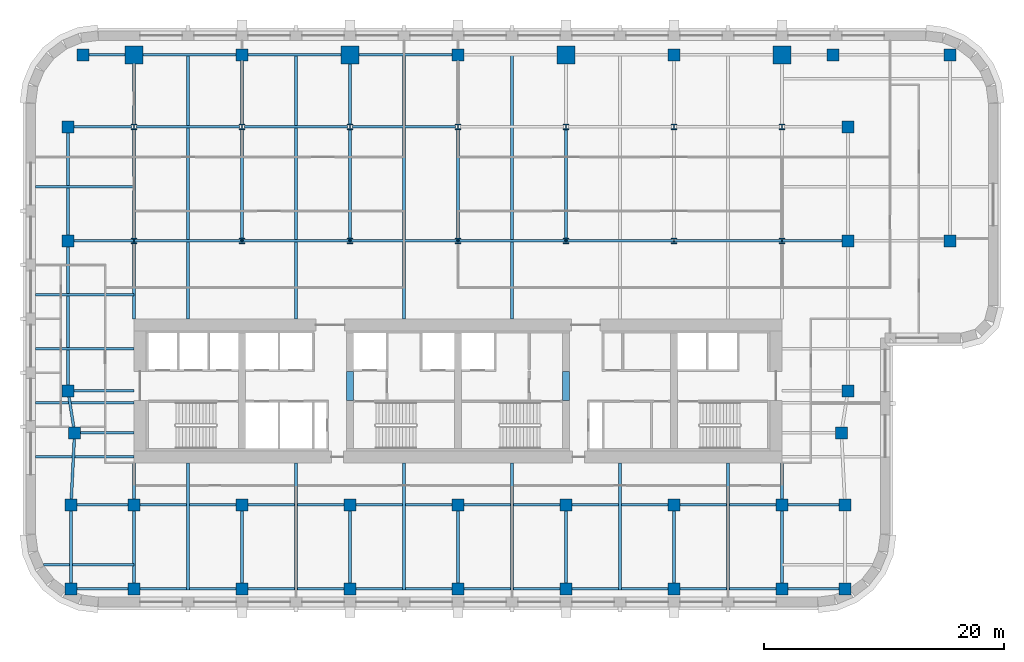
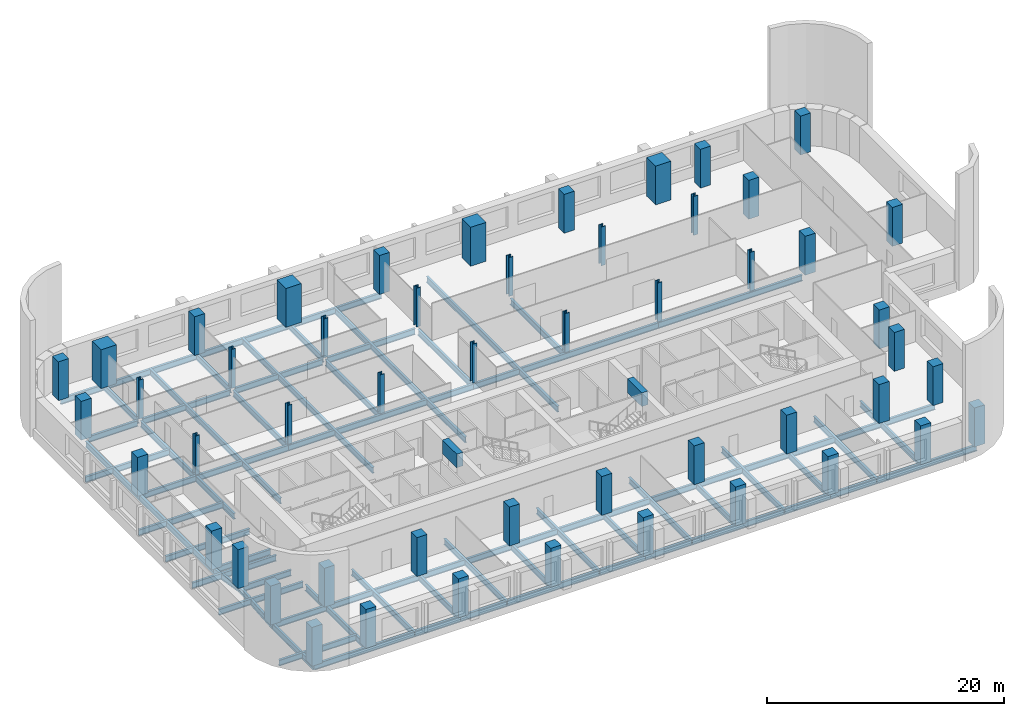
# One storey, part 1 of 10: 58 beams, 51 columns.
"""IFC4 building model written with IfcOpenShell, lengths in metres."""

import ifcopenshell
import ifcopenshell.guid

model = None  # the IFC model being written
_history = None  # IfcOwnerHistory: only IFC2X3 demands one
_inside = {}  # id of a spatial element -> (the spatial element, [elements in it])
_under = {}  # id of a project, library or spatial element -> (it, [spatial elements below it])
_declared = {}  # id of a project -> (the project, [libraries it declares])
_typed = {}  # id of a type object -> (the type object, [elements of that type])
_made_of = {}  # id of a material, layer set ... -> (it, [elements and type objects made of it])


def new_model(schema):
    """Start an empty IFC model of exactly this schema.

    Asked for "IFC4X3", IfcOpenShell would pick the latest addendum, in which some entities
    have other attributes; the version numbers below select the first issue.
    IFC2X3 requires an IfcOwnerHistory on every rooted entity: one is made here for all.
    """
    global model, _history
    if schema == "IFC4X3":
        model = ifcopenshell.file(schema_version=(4, 3, 0, 0))
    else:
        model = ifcopenshell.file(schema=schema)
    _inside.clear()
    _under.clear()
    _declared.clear()
    _typed.clear()
    _made_of.clear()
    _history = None
    if model.schema == "IFC2X3":
        org = make("IfcOrganization", Name="unknown")
        user = make(
            "IfcPersonAndOrganization",
            ThePerson=make("IfcPerson", FamilyName="unknown"),
            TheOrganization=org,
        )
        app = make(
            "IfcApplication",
            ApplicationDeveloper=org,
            Version="unknown",
            ApplicationFullName="unknown",
            ApplicationIdentifier="unknown",
        )
        _history = make(
            "IfcOwnerHistory",
            OwningUser=user,
            OwningApplication=app,
            ChangeAction="ADDED",
            CreationDate=0,
        )
    return model


def make(cls, **values):
    """One entity of the class cls with the attributes given. An attribute that is None is left unset."""
    return model.create_entity(
        cls, **{name: value for name, value in values.items() if value is not None}
    )


def rooted(cls, **values):
    """An entity with a GlobalId (a new one), such as an element, a storey or a relation."""
    return make(cls, GlobalId=ifcopenshell.guid.new(), OwnerHistory=_history, **values)


def si_unit(unit_type, name, prefix=None):
    """IfcSIUnit, for example si_unit("LENGTHUNIT", "METRE", prefix="MILLI")."""
    return make("IfcSIUnit", UnitType=unit_type, Prefix=prefix, Name=name)


def assignment(units):
    """IfcUnitAssignment: the units of a project."""
    return None if units is None else make("IfcUnitAssignment", Units=units)


def point(xyz):
    """IfcCartesianPoint."""
    return None if xyz is None else make("IfcCartesianPoint", Coordinates=xyz)


def direction(xyz):
    """IfcDirection."""
    return None if xyz is None else make("IfcDirection", DirectionRatios=xyz)


def frame(location, z_axis=None, x_axis=None):
    """IfcAxis2Placement3D, a coordinate frame: its origin and axes. An axis left out is left unset."""
    return make(
        "IfcAxis2Placement3D",
        Location=point(location),
        Axis=direction(z_axis),
        RefDirection=direction(x_axis),
    )


def frame_2d(location, x_axis=None):
    """IfcAxis2Placement2D, a coordinate frame in the plane: its origin and x axis."""
    return make(
        "IfcAxis2Placement2D", Location=point(location), RefDirection=direction(x_axis)
    )


def origin():
    """The frame at (0, 0, 0) with its axes left unset."""
    return frame((0.0, 0.0, 0.0))


def origin_2d():
    """The frame at (0, 0) in the plane with its x axis left unset."""
    return frame_2d((0.0, 0.0))


def place(relative_to, where):
    """IfcLocalPlacement: puts the frame where relative to a parent placement (None: the world)."""
    return make(
        "IfcLocalPlacement", PlacementRelTo=relative_to, RelativePlacement=where
    )


def context(
    kind, dimensions, precision=None, world=None, true_north=None, identifier=None
):
    """IfcGeometricRepresentationContext, for example the 3D "Model" context."""
    return make(
        "IfcGeometricRepresentationContext",
        ContextIdentifier=identifier,
        ContextType=kind,
        CoordinateSpaceDimension=dimensions,
        Precision=precision,
        WorldCoordinateSystem=world,
        TrueNorth=true_north,
    )


def subcontext(parent, identifier, kind, view, scale=None):
    """IfcGeometricRepresentationSubContext, for example "Body" below "Model"."""
    return make(
        "IfcGeometricRepresentationSubContext",
        ContextIdentifier=identifier,
        ContextType=kind,
        ParentContext=parent,
        TargetScale=scale,
        TargetView=view,
    )


def project(units=None, contexts=None):
    """IfcProject with its units and contexts."""
    return rooted(
        "IfcProject",
        Name="project",
        RepresentationContexts=contexts,
        UnitsInContext=assignment(units),
    )


def spatial(cls, under=None, at=None, **own):
    """A site, building, storey or space (cls), placed at a placement, below another one or the project."""
    s = rooted(cls, ObjectPlacement=at, **own)
    if under is not None:
        _under.setdefault(under.id(), (under, []))[1].append(s)
    return s


def profile(cls, at=None, kind="AREA", **sizes):
    """A parametric profile (cls). Its sizes go by their IFC names, for example OverallWidth=200.0."""
    return make(cls, ProfileType=kind, Position=at, **sizes)


def rectangle(**sizes):
    """IfcRectangleProfileDef."""
    return profile("IfcRectangleProfileDef", **sizes)


def i_section(**sizes):
    """IfcIShapeProfileDef."""
    return profile("IfcIShapeProfileDef", **sizes)


def extrude(swept, where, along, depth):
    """IfcExtrudedAreaSolid: the profile swept, set in the frame where, extruded along a direction by depth."""
    return make(
        "IfcExtrudedAreaSolid",
        SweptArea=swept,
        Position=where,
        ExtrudedDirection=direction(along),
        Depth=depth,
    )


def shape(context_of_items, identifier, shape_type, items):
    """IfcShapeRepresentation: the items that make up one representation, for example the "Body"."""
    return make(
        "IfcShapeRepresentation",
        ContextOfItems=context_of_items,
        RepresentationIdentifier=identifier,
        RepresentationType=shape_type,
        Items=items,
    )


def material(Name=None, Category=None):
    """IfcMaterial."""
    return make("IfcMaterial", Name=Name, Category=Category)


def material_profile(
    of_material, cross_section, Name=None, Category=None, Priority=None
):
    """IfcMaterialProfile: a cross section and its material."""
    return make(
        "IfcMaterialProfile",
        Name=Name,
        Material=of_material,
        Profile=cross_section,
        Priority=Priority,
        Category=Category,
    )


def profile_set(profiles, Name=None, composite=None):
    """IfcMaterialProfileSet."""
    return make(
        "IfcMaterialProfileSet",
        Name=Name,
        MaterialProfiles=profiles,
        CompositeProfile=composite,
    )


def made_of(thing, what):
    """Note that an element or type object is made of a material, layer set ...; save() writes the relation."""
    if what is not None:
        _made_of.setdefault(what.id(), (what, []))[1].append(thing)
    return thing


def type_object(cls, material=None, **own):
    """A type object (cls), such as IfcWallType, which elements share."""
    return made_of(rooted(cls, **own), material)


def element(
    cls,
    number,
    at=None,
    inside=None,
    cuts=None,
    type_object=None,
    material=None,
    context=None,
    identifier="Body",
    shape_type=None,
    held_by="IfcProductDefinitionShape",
    body=None,
    shapes=None,
    **own,
):
    """One element of the class cls, such as IfcWall. Its Tag is "e" and its number.

    at: its placement. inside: the storey or other place that contains it. cuts: it is an
    opening in that element (IfcRelVoidsElement). A single representation is given by context,
    identifier, shape_type and body (its items); several are given by shapes. held_by: the class
    of the entity that holds the representations. save() writes the other relations.
    """
    e = rooted(cls, Tag="e%d" % number, ObjectPlacement=at, **own)
    if body is not None:
        shapes = [shape(context, identifier, shape_type, body)]
    if shapes is not None:
        e.Representation = make(held_by, Representations=shapes)
    if inside is not None:
        _inside.setdefault(inside.id(), (inside, []))[1].append(e)
    if cuts is not None:
        rooted(
            "IfcRelVoidsElement", RelatingBuildingElement=cuts, RelatedOpeningElement=e
        )
    if type_object is not None:
        _typed.setdefault(type_object.id(), (type_object, []))[1].append(e)
    return made_of(e, material)


def aggregate(whole, parts):
    """IfcRelAggregates: a whole, such as a stair, and the parts it consists of."""
    return rooted("IfcRelAggregates", RelatingObject=whole, RelatedObjects=parts)


def save(model, path):
    """Write the relations noted so far, then the file.

    IfcRelAggregates (storeys below a building ...), IfcRelContainedInSpatialStructure (elements
    in a storey), IfcRelDefinesByType, IfcRelAssociatesMaterial and IfcRelDeclares: one each for
    every whole, place, type object, material and project.
    """
    for whole, parts in _under.values():
        aggregate(whole, parts)
    for where, things in _inside.values():
        rooted(
            "IfcRelContainedInSpatialStructure",
            RelatedElements=things,
            RelatingStructure=where,
        )
    for kind, things in _typed.values():
        rooted("IfcRelDefinesByType", RelatedObjects=things, RelatingType=kind)
    for what, things in _made_of.values():
        rooted("IfcRelAssociatesMaterial", RelatedObjects=things, RelatingMaterial=what)
    for by, libraries in _declared.values():
        rooted("IfcRelDeclares", RelatingContext=by, RelatedDefinitions=libraries)
    model.write(path)


model = new_model("IFC4")

# Units and contexts
model_context = context("Model", 3, precision=1e-05, world=origin(), true_north=direction((0.0, 1.0)))
body_context = subcontext(model_context, "Body", "Model", "MODEL_VIEW")
ifc_project = project(units=[si_unit("LENGTHUNIT", "METRE"), si_unit("AREAUNIT", "SQUARE_METRE"), si_unit("VOLUMEUNIT", "CUBIC_METRE"), si_unit("PLANEANGLEUNIT", "RADIAN"), si_unit("MASSUNIT", "GRAM", prefix="KILO")], contexts=[model_context])

# Site, building, storey
site_placement = place(None, origin())
site = spatial("IfcSite", under=ifc_project, at=site_placement, CompositionType="ELEMENT")
building_placement = place(site_placement, origin())
building = spatial("IfcBuilding", under=site, at=building_placement, Name="Zellij Exchange Tower", CompositionType="ELEMENT")
storey_placement = place(building_placement, frame((0.0, 0.0, 120.5)))
storey = spatial("IfcBuildingStorey", under=building, at=storey_placement, Name="L26", CompositionType="ELEMENT", Elevation=120.5)

# Columns
ifc_material_1 = material(Name="Concrete C70/85", Category="concrete")
ifc_material_profile_1 = material_profile(ifc_material_1, rectangle(XDim=1.0, YDim=1.0, at=origin_2d()), Name="STR-COLUMN RC1000x1000 C70/85")
ifc_profile_set_1 = profile_set([ifc_material_profile_1], Name="Concrete C70/85")
column_type_1 = type_object("IfcColumnType", Name="STR-COLUMN RC1000x1000 C70/85", PredefinedType="COLUMN", material=ifc_profile_set_1)
for number, where, z_axis, x_axis, name in (
    (1, (-32.25, -24.5, 0.0), (0.0, 0.0, 1.0), (1.0, 0.0, 0.0), "C10"),
    (2, (-27.0, -24.5, 0.0), (0.0, 0.0, 1.0), (1.0, 0.0, 0.0), "C10"),
    (3, (-18.0, -24.5, 0.0), (0.0, 0.0, 1.0), (1.0, 0.0, 0.0), "C10"),
    (4, (-9.0, -24.5, 0.0), (0.0, 0.0, 1.0), (1.0, 0.0, 0.0), "C10"),
    (5, (0.0, -24.5, 0.0), (0.0, 0.0, 1.0), (1.0, 0.0, 0.0), "C10"),
    (6, (9.0, -24.5, 0.0), (0.0, 0.0, 1.0), (1.0, 0.0, 0.0), "C10"),
    (7, (18.0, -24.5, 0.0), (0.0, 0.0, 1.0), (1.0, 0.0, 0.0), "C10"),
    (8, (27.0, -24.5, 0.0), (0.0, 0.0, 1.0), (1.0, 0.0, 0.0), "C10"),
    (9, (32.25, -24.5, 0.0), (0.0, 0.0, 1.0), (1.0, 0.0, 0.0), "C10"),
    (10, (-32.25, -17.5, 0.0), (0.0, 0.0, 1.0), (1.0, 0.0, 0.0), "C10"),
    (11, (-27.0, -17.5, 0.0), (0.0, 0.0, 1.0), (1.0, 0.0, 0.0), "C10"),
    (12, (-18.0, -17.5, 0.0), (0.0, 0.0, 1.0), (1.0, 0.0, 0.0), "C10"),
    (13, (-9.0, -17.5, 0.0), (0.0, 0.0, 1.0), (1.0, 0.0, 0.0), "C10"),
    (14, (0.0, -17.5, 0.0), (0.0, 0.0, 1.0), (1.0, 0.0, 0.0), "C10"),
    (15, (9.0, -17.5, 0.0), (0.0, 0.0, 1.0), (1.0, 0.0, 0.0), "C10"),
    (16, (18.0, -17.5, 0.0), (0.0, 0.0, 1.0), (1.0, 0.0, 0.0), "C10"),
    (17, (27.0, -17.5, 0.0), (0.0, 0.0, 1.0), (1.0, 0.0, 0.0), "C10"),
    (18, (32.25, -17.5, 0.0), (0.0, 0.0, 1.0), (1.0, 0.0, 0.0), "C10"),
    (19, (-31.949951171875, -11.5, 0.0), (0.0, 0.0, 1.0), (1.0, 0.0, 0.0), "C10"),
    (20, (31.949951171875, -11.5, 0.0), (0.0, 0.0, 1.0), (1.0, 0.0, 0.0), "C10"),
    (21, (-32.5, -8.0, 0.0), (0.0, 0.0, 1.0), (1.0, 0.0, 0.0), "C10"),
    (22, (32.5, -8.0, 0.0), (0.0, 0.0, 1.0), (1.0, 0.0, 0.0), "C10"),
    (23, (-32.5, 4.5, 0.0), (0.0, 0.0, 1.0), (1.0, 0.0, 0.0), "C10"),
    (24, (32.5, 4.5, 0.0), (0.0, 0.0, 1.0), (1.0, 0.0, 0.0), "C10"),
    (25, (41.0, 4.5, 0.0), (0.0, 0.0, 1.0), (1.0, 0.0, 0.0), "C10"),
    (26, (-32.5, 14.0, 0.0), (0.0, 0.0, 1.0), (1.0, 0.0, 0.0), "C10"),
    (27, (32.5, 14.0, 0.0), (0.0, 0.0, 1.0), (1.0, 0.0, 0.0), "C10"),
    (28, (-31.25, 20.0, 0.0), (0.0, 0.0, 1.0), (1.0, 0.0, 0.0), "C10"),
    (29, (-18.0, 20.0, 0.0), (0.0, 0.0, 1.0), (1.0, 0.0, 0.0), "C10"),
    (30, (0.0, 20.0, 0.0), (0.0, 0.0, 1.0), (1.0, 0.0, 0.0), "C10"),
    (31, (18.0, 20.0, 0.0), (0.0, 0.0, 1.0), (1.0, 0.0, 0.0), "C10"),
    (32, (31.25, 20.0, 0.0), (0.0, 0.0, 1.0), (1.0, 0.0, 0.0), "C10"),
    (33, (41.0, 20.0, 0.0), (0.0, 0.0, 1.0), (1.0, 0.0, 0.0), "C10"),
):
    element("IfcColumn", number, at=place(storey_placement, frame(where, z_axis=z_axis, x_axis=x_axis)), inside=storey, type_object=column_type_1, Name=name, PredefinedType="COLUMN", context=body_context, shape_type="SweptSolid", body=[
        extrude(rectangle(XDim=1.0, YDim=1.0, at=origin_2d()), origin(), (0.0, 0.0, 1.0), 4.0),
    ])
ifc_material_2 = material(Name="Structural steel ASTM A913 Gr 65", Category="steel")
ifc_material_profile_2 = material_profile(ifc_material_2, i_section(OverallWidth=0.419189453125, OverallDepth=0.45458984375, WebThickness=0.042236328125, FlangeThickness=0.067626953125, at=origin_2d()), Name="W14x370")
ifc_profile_set_2 = profile_set([ifc_material_profile_2], Name="Structural steel ASTM A913 Gr 65")
column_type_2 = type_object("IfcColumnType", Name="STR-COLUMN W14x370", PredefinedType="COLUMN", material=ifc_profile_set_2)
for number, where, z_axis, x_axis, name in (
    (34, (-27.0, 4.5, 0.0), (0.0, 0.0, 1.0), (1.0, 0.0, 0.0), "C4"),
    (35, (-18.0, 4.5, 0.0), (0.0, 0.0, 1.0), (1.0, 0.0, 0.0), "C4"),
    (36, (-9.0, 4.5, 0.0), (0.0, 0.0, 1.0), (1.0, 0.0, 0.0), "C4"),
    (37, (0.0, 4.5, 0.0), (0.0, 0.0, 1.0), (1.0, 0.0, 0.0), "C4"),
    (38, (9.0, 4.5, 0.0), (0.0, 0.0, 1.0), (1.0, 0.0, 0.0), "C4"),
    (39, (18.0, 4.5, 0.0), (0.0, 0.0, 1.0), (1.0, 0.0, 0.0), "C4"),
    (40, (27.0, 4.5, 0.0), (0.0, 0.0, 1.0), (1.0, 0.0, 0.0), "C4"),
    (41, (-27.0, 14.0, 0.0), (0.0, 0.0, 1.0), (1.0, 0.0, 0.0), "C4"),
    (42, (-18.0, 14.0, 0.0), (0.0, 0.0, 1.0), (1.0, 0.0, 0.0), "C4"),
    (43, (-9.0, 14.0, 0.0), (0.0, 0.0, 1.0), (1.0, 0.0, 0.0), "C4"),
    (44, (0.0, 14.0, 0.0), (0.0, 0.0, 1.0), (1.0, 0.0, 0.0), "C4"),
    (45, (9.0, 14.0, 0.0), (0.0, 0.0, 1.0), (1.0, 0.0, 0.0), "C4"),
    (46, (18.0, 14.0, 0.0), (0.0, 0.0, 1.0), (1.0, 0.0, 0.0), "C4"),
    (47, (27.0, 14.0, 0.0), (0.0, 0.0, 1.0), (1.0, 0.0, 0.0), "C4"),
):
    element("IfcColumn", number, at=place(storey_placement, frame(where, z_axis=z_axis, x_axis=x_axis)), inside=storey, type_object=column_type_2, Name=name, PredefinedType="COLUMN", context=body_context, shape_type="SweptSolid", body=[
        extrude(i_section(OverallWidth=0.419189453125, OverallDepth=0.45458984375, WebThickness=0.042236328125, FlangeThickness=0.067626953125, at=origin_2d()), origin(), (0.0, 0.0, 1.0), 4.0),
    ])
ifc_material_profile_3 = material_profile(ifc_material_1, rectangle(XDim=1.5, YDim=1.5, at=origin_2d()), Name="STR-MEGA COLUMN RC1500x1500 C70/85")
ifc_profile_set_3 = profile_set([ifc_material_profile_3], Name="Concrete C70/85")
column_type_3 = type_object("IfcColumnType", Name="STR-MEGA COLUMN RC1500x1500 C70/85", PredefinedType="COLUMN", material=ifc_profile_set_3)
for number, where, z_axis, x_axis, name in (
    (48, (-27.0, 20.0, 0.0), (0.0, 0.0, 1.0), (1.0, 0.0, 0.0), "MC5"),
    (49, (-9.0, 20.0, 0.0), (0.0, 0.0, 1.0), (1.0, 0.0, 0.0), "MC5"),
    (50, (9.0, 20.0, 0.0), (0.0, 0.0, 1.0), (1.0, 0.0, 0.0), "MC5"),
    (51, (27.0, 20.0, 0.0), (0.0, 0.0, 1.0), (1.0, 0.0, 0.0), "MC5"),
):
    element("IfcColumn", number, at=place(storey_placement, frame(where, z_axis=z_axis, x_axis=x_axis)), inside=storey, type_object=column_type_3, Name=name, PredefinedType="COLUMN", context=body_context, shape_type="SweptSolid", body=[
        extrude(rectangle(XDim=1.5, YDim=1.5, at=origin_2d()), origin(), (0.0, 0.0, 1.0), 4.0),
    ])

# Beams
ifc_material_profile_4 = material_profile(ifc_material_1, rectangle(XDim=0.60009765625, YDim=1.39990234375, at=origin_2d()), Name="CORE-CB 600x1400 C70/85")
ifc_profile_set_4 = profile_set([ifc_material_profile_4], Name="Concrete C70/85")
beam_type_1 = type_object("IfcBeamType", Name="CORE-CB 600x1400 C70/85", PredefinedType="BEAM", material=ifc_profile_set_4)
for number, where, z_axis, x_axis, name in (
    (52, (-9.0, -8.800048828125, 3.10009765625), (0.0, 1.0, 0.0), (-1.0, 0.0, 0.0), "Core coupling beam x -9 L26"),
    (53, (9.0, -8.800048828125, 3.10009765625), (0.0, 1.0, 0.0), (-1.0, 0.0, 0.0), "Core coupling beam x 9 L26"),
):
    element("IfcBeam", number, at=place(storey_placement, frame(where, z_axis=z_axis, x_axis=x_axis)), inside=storey, type_object=beam_type_1, Name=name, PredefinedType="BEAM", context=body_context, shape_type="SweptSolid", body=[
        extrude(rectangle(XDim=0.60009765625, YDim=1.39990234375, at=origin_2d()), origin(), (0.0, 0.0, 1.0), 2.425048828125),
    ])
ifc_material_3 = material(Name="Structural steel ASTM A992 Gr 50", Category="steel")
ifc_material_profile_5 = material_profile(ifc_material_3, i_section(OverallWidth=0.227783203125, OverallDepth=0.60205078125, WebThickness=0.010498046875, FlangeThickness=0.014892578125, at=origin_2d()), Name="W24x68")
ifc_profile_set_5 = profile_set([ifc_material_profile_5], Name="Structural steel ASTM A992 Gr 50")
beam_type_2 = type_object("IfcBeamType", Name="STR-BEAM W24x68", PredefinedType="BEAM", material=ifc_profile_set_5)
beam_1_placement = place(storey_placement, frame((-22.5, -24.614501953125, -0.5009765625), z_axis=(0.0, 1.0, 0.0), x_axis=(-1.0, 0.0, 0.0)))
element("IfcBeam", 54, at=beam_1_placement, inside=storey, type_object=beam_type_2, Name="B5", PredefinedType="BEAM", context=body_context, shape_type="SweptSolid", body=[
    extrude(i_section(OverallWidth=0.227783203125, OverallDepth=0.60205078125, WebThickness=0.010498046875, FlangeThickness=0.014892578125, at=origin_2d()), origin(), (0.0, 0.0, 1.0), 10.614501953125),
])
beam_2_placement = place(storey_placement, frame((-22.5, -2.0, -0.5009765625), z_axis=(0.0, 1.0, 0.0), x_axis=(-1.0, 0.0, 0.0)))
element("IfcBeam", 55, at=beam_2_placement, inside=storey, type_object=beam_type_2, Name="B5", PredefinedType="BEAM", context=body_context, shape_type="SweptSolid", body=[
    extrude(i_section(OverallWidth=0.227783203125, OverallDepth=0.60205078125, WebThickness=0.010498046875, FlangeThickness=0.014892578125, at=origin_2d()), origin(), (0.0, 0.0, 1.0), 22.114501953125),
])
beam_3_placement = place(storey_placement, frame((-13.5, -24.614501953125, -0.5009765625), z_axis=(0.0, 1.0, 0.0), x_axis=(-1.0, 0.0, 0.0)))
element("IfcBeam", 56, at=beam_3_placement, inside=storey, type_object=beam_type_2, Name="B5", PredefinedType="BEAM", context=body_context, shape_type="SweptSolid", body=[
    extrude(i_section(OverallWidth=0.227783203125, OverallDepth=0.60205078125, WebThickness=0.010498046875, FlangeThickness=0.014892578125, at=origin_2d()), origin(), (0.0, 0.0, 1.0), 10.614501953125),
])
beam_4_placement = place(storey_placement, frame((-13.5, -2.0, -0.5009765625), z_axis=(0.0, 1.0, 0.0), x_axis=(-1.0, 0.0, 0.0)))
element("IfcBeam", 57, at=beam_4_placement, inside=storey, type_object=beam_type_2, Name="B5", PredefinedType="BEAM", context=body_context, shape_type="SweptSolid", body=[
    extrude(i_section(OverallWidth=0.227783203125, OverallDepth=0.60205078125, WebThickness=0.010498046875, FlangeThickness=0.014892578125, at=origin_2d()), origin(), (0.0, 0.0, 1.0), 22.114501953125),
])
beam_5_placement = place(storey_placement, frame((-4.5, -24.614501953125, -0.5009765625), z_axis=(0.0, 1.0, 0.0), x_axis=(-1.0, 0.0, 0.0)))
element("IfcBeam", 58, at=beam_5_placement, inside=storey, type_object=beam_type_2, Name="B5", PredefinedType="BEAM", context=body_context, shape_type="SweptSolid", body=[
    extrude(i_section(OverallWidth=0.227783203125, OverallDepth=0.60205078125, WebThickness=0.010498046875, FlangeThickness=0.014892578125, at=origin_2d()), origin(), (0.0, 0.0, 1.0), 10.614501953125),
])
beam_6_placement = place(storey_placement, frame((-4.5, -2.0, -0.5009765625), z_axis=(0.0, 1.0, 0.0), x_axis=(-1.0, 0.0, 0.0)))
element("IfcBeam", 59, at=beam_6_placement, inside=storey, type_object=beam_type_2, Name="B5", PredefinedType="BEAM", context=body_context, shape_type="SweptSolid", body=[
    extrude(i_section(OverallWidth=0.227783203125, OverallDepth=0.60205078125, WebThickness=0.010498046875, FlangeThickness=0.014892578125, at=origin_2d()), origin(), (0.0, 0.0, 1.0), 22.114501953125),
])
beam_7_placement = place(storey_placement, frame((4.5, -24.614501953125, -0.5009765625), z_axis=(0.0, 1.0, 0.0), x_axis=(-1.0, 0.0, 0.0)))
element("IfcBeam", 60, at=beam_7_placement, inside=storey, type_object=beam_type_2, Name="B5", PredefinedType="BEAM", context=body_context, shape_type="SweptSolid", body=[
    extrude(i_section(OverallWidth=0.227783203125, OverallDepth=0.60205078125, WebThickness=0.010498046875, FlangeThickness=0.014892578125, at=origin_2d()), origin(), (0.0, 0.0, 1.0), 10.614501953125),
])
beam_8_placement = place(storey_placement, frame((4.5, -2.0, -0.5009765625), z_axis=(0.0, 1.0, 0.0), x_axis=(-1.0, 0.0, 0.0)))
element("IfcBeam", 61, at=beam_8_placement, inside=storey, type_object=beam_type_2, Name="B5", PredefinedType="BEAM", context=body_context, shape_type="SweptSolid", body=[
    extrude(i_section(OverallWidth=0.227783203125, OverallDepth=0.60205078125, WebThickness=0.010498046875, FlangeThickness=0.014892578125, at=origin_2d()), origin(), (0.0, 0.0, 1.0), 22.114501953125),
])
for number, where, z_axis, x_axis, name in (
    (62, (13.5, -24.614501953125, -0.5009765625), (0.0, 1.0, 0.0), (-1.0, 0.0, 0.0), "B5"),
    (63, (22.5, -24.614501953125, -0.5009765625), (0.0, 1.0, 0.0), (-1.0, 0.0, 0.0), "B5"),
):
    element("IfcBeam", number, at=place(storey_placement, frame(where, z_axis=z_axis, x_axis=x_axis)), inside=storey, type_object=beam_type_2, Name=name, PredefinedType="BEAM", context=body_context, shape_type="SweptSolid", body=[
        extrude(i_section(OverallWidth=0.227783203125, OverallDepth=0.60205078125, WebThickness=0.010498046875, FlangeThickness=0.014892578125, at=origin_2d()), origin(), (0.0, 0.0, 1.0), 10.614501953125),
    ])
beam_9_placement = place(storey_placement, frame((-34.537109375, -22.5, -0.5009765625), z_axis=(1.0, 0.0, 0.0), x_axis=(0.0, 1.0, 0.0)))
element("IfcBeam", 64, at=beam_9_placement, inside=storey, type_object=beam_type_2, Name="B5", PredefinedType="BEAM", context=body_context, shape_type="SweptSolid", body=[
    extrude(i_section(OverallWidth=0.227783203125, OverallDepth=0.60205078125, WebThickness=0.010498046875, FlangeThickness=0.014892578125, at=origin_2d()), origin(), (0.0, 0.0, 1.0), 7.537109375),
])
for number, where, z_axis, x_axis, name in (
    (65, (-35.199951171875, -13.5, -0.5009765625), (1.0, 0.0, 0.0), (0.0, 1.0, 0.0), "B5"),
    (66, (-35.199951171875, -9.0, -0.5009765625), (1.0, 0.0, 0.0), (0.0, 1.0, 0.0), "B5"),
    (67, (-35.199951171875, -4.5, -0.5009765625), (1.0, 0.0, 0.0), (0.0, 1.0, 0.0), "B5"),
    (68, (-35.199951171875, 0.0, -0.5009765625), (1.0, 0.0, 0.0), (0.0, 1.0, 0.0), "B5"),
    (69, (-35.199951171875, 9.0, -0.5009765625), (1.0, 0.0, 0.0), (0.0, 1.0, 0.0), "B5"),
):
    element("IfcBeam", number, at=place(storey_placement, frame(where, z_axis=z_axis, x_axis=x_axis)), inside=storey, type_object=beam_type_2, Name=name, PredefinedType="BEAM", context=body_context, shape_type="SweptSolid", body=[
        extrude(i_section(OverallWidth=0.227783203125, OverallDepth=0.60205078125, WebThickness=0.010498046875, FlangeThickness=0.014892578125, at=origin_2d()), origin(), (0.0, 0.0, 1.0), 8.199951171875),
    ])
ifc_material_profile_6 = material_profile(ifc_material_3, i_section(OverallWidth=0.22900390625, OverallDepth=0.612060546875, WebThickness=0.011962890625, FlangeThickness=0.01953125, at=origin_2d()), Name="W24x84")
ifc_profile_set_6 = profile_set([ifc_material_profile_6], Name="Structural steel ASTM A992 Gr 50")
beam_type_3 = type_object("IfcBeamType", Name="STR-EDGE GIRDER W24x84", PredefinedType="BEAM", material=ifc_profile_set_6)
beam_10_placement = place(storey_placement, frame((-32.25, -24.5, -0.506103515625), z_axis=(0.0, 1.0, 0.0), x_axis=(-1.0, 0.0, 0.0)))
element("IfcBeam", 70, at=beam_10_placement, inside=storey, type_object=beam_type_3, Name="EB6", PredefinedType="BEAM", context=body_context, shape_type="SweptSolid", body=[
    extrude(i_section(OverallWidth=0.22900390625, OverallDepth=0.612060546875, WebThickness=0.011962890625, FlangeThickness=0.01953125, at=origin_2d()), origin(), (0.0, 0.0, 1.0), 7.0),
])
beam_11_placement = place(storey_placement, frame((-32.25, -17.5, -0.506103515625), z_axis=(0.049945724537, 0.998751933465, 0.0), x_axis=(-0.998751933465, 0.049945724537, 0.0)))
element("IfcBeam", 71, at=beam_11_placement, inside=storey, type_object=beam_type_3, Name="EB6", PredefinedType="BEAM", context=body_context, shape_type="SweptSolid", body=[
    extrude(i_section(OverallWidth=0.22900390625, OverallDepth=0.612060546875, WebThickness=0.011962890625, FlangeThickness=0.01953125, at=origin_2d()), origin(), (0.0, 0.0, 1.0), 6.007568359375),
])
beam_12_placement = place(storey_placement, frame((-31.949951171875, -11.5, -0.506103515625), z_axis=(-0.155251283593, 0.987875011802, 0.0), x_axis=(-0.987875011802, -0.155251283593, 0.0)))
element("IfcBeam", 72, at=beam_12_placement, inside=storey, type_object=beam_type_3, Name="EB6", PredefinedType="BEAM", context=body_context, shape_type="SweptSolid", body=[
    extrude(i_section(OverallWidth=0.22900390625, OverallDepth=0.612060546875, WebThickness=0.011962890625, FlangeThickness=0.01953125, at=origin_2d()), origin(), (0.0, 0.0, 1.0), 3.54296875),
])
beam_13_placement = place(storey_placement, frame((-32.5, -8.0, -0.506103515625), z_axis=(0.0, 1.0, 0.0), x_axis=(-1.0, 0.0, 0.0)))
element("IfcBeam", 73, at=beam_13_placement, inside=storey, type_object=beam_type_3, Name="EB6", PredefinedType="BEAM", context=body_context, shape_type="SweptSolid", body=[
    extrude(i_section(OverallWidth=0.22900390625, OverallDepth=0.612060546875, WebThickness=0.011962890625, FlangeThickness=0.01953125, at=origin_2d()), origin(), (0.0, 0.0, 1.0), 12.5),
])
beam_14_placement = place(storey_placement, frame((-32.5, 4.5, -0.506103515625), z_axis=(0.0, 1.0, 0.0), x_axis=(-1.0, 0.0, 0.0)))
element("IfcBeam", 74, at=beam_14_placement, inside=storey, type_object=beam_type_3, Name="EB6", PredefinedType="BEAM", context=body_context, shape_type="SweptSolid", body=[
    extrude(i_section(OverallWidth=0.22900390625, OverallDepth=0.612060546875, WebThickness=0.011962890625, FlangeThickness=0.01953125, at=origin_2d()), origin(), (0.0, 0.0, 1.0), 9.0),
])
ifc_material_profile_7 = material_profile(ifc_material_3, i_section(OverallWidth=0.22900390625, OverallDepth=0.612060546875, WebThickness=0.011962890625, FlangeThickness=0.01953125, at=origin_2d()), Name="W24x84")
ifc_profile_set_7 = profile_set([ifc_material_profile_7], Name="Structural steel ASTM A992 Gr 50")
beam_type_4 = type_object("IfcBeamType", Name="STR-GIRDER W24x84", PredefinedType="BEAM", material=ifc_profile_set_7)
beam_15_placement = place(storey_placement, frame((-32.25, -24.5, -0.506103515625), z_axis=(1.0, 0.0, 0.0), x_axis=(0.0, 1.0, 0.0)))
element("IfcBeam", 75, at=beam_15_placement, inside=storey, type_object=beam_type_4, Name="G4", PredefinedType="BEAM", context=body_context, shape_type="SweptSolid", body=[
    extrude(i_section(OverallWidth=0.22900390625, OverallDepth=0.612060546875, WebThickness=0.011962890625, FlangeThickness=0.01953125, at=origin_2d()), origin(), (0.0, 0.0, 1.0), 14.25),
])
for number, where, z_axis, x_axis, name in (
    (76, (-18.0, -24.5, -0.506103515625), (1.0, 0.0, 0.0), (0.0, 1.0, 0.0), "G4"),
    (77, (0.0, -24.5, -0.506103515625), (1.0, 0.0, 0.0), (0.0, 1.0, 0.0), "G4"),
):
    element("IfcBeam", number, at=place(storey_placement, frame(where, z_axis=z_axis, x_axis=x_axis)), inside=storey, type_object=beam_type_4, Name=name, PredefinedType="BEAM", context=body_context, shape_type="SweptSolid", body=[
        extrude(i_section(OverallWidth=0.22900390625, OverallDepth=0.612060546875, WebThickness=0.011962890625, FlangeThickness=0.01953125, at=origin_2d()), origin(), (0.0, 0.0, 1.0), 18.0),
    ])
for number, where, z_axis, x_axis, name in (
    (78, (18.0, -24.5, -0.506103515625), (1.0, 0.0, 0.0), (0.0, 1.0, 0.0), "G4"),
    (79, (-32.25, -17.5, -0.506103515625), (1.0, 0.0, 0.0), (0.0, 1.0, 0.0), "G4"),
):
    element("IfcBeam", number, at=place(storey_placement, frame(where, z_axis=z_axis, x_axis=x_axis)), inside=storey, type_object=beam_type_4, Name=name, PredefinedType="BEAM", context=body_context, shape_type="SweptSolid", body=[
        extrude(i_section(OverallWidth=0.22900390625, OverallDepth=0.612060546875, WebThickness=0.011962890625, FlangeThickness=0.01953125, at=origin_2d()), origin(), (0.0, 0.0, 1.0), 14.25),
    ])
for number, where, z_axis, x_axis, name in (
    (80, (-18.0, -17.5, -0.506103515625), (1.0, 0.0, 0.0), (0.0, 1.0, 0.0), "G4"),
    (81, (0.0, -17.5, -0.506103515625), (1.0, 0.0, 0.0), (0.0, 1.0, 0.0), "G4"),
):
    element("IfcBeam", number, at=place(storey_placement, frame(where, z_axis=z_axis, x_axis=x_axis)), inside=storey, type_object=beam_type_4, Name=name, PredefinedType="BEAM", context=body_context, shape_type="SweptSolid", body=[
        extrude(i_section(OverallWidth=0.22900390625, OverallDepth=0.612060546875, WebThickness=0.011962890625, FlangeThickness=0.01953125, at=origin_2d()), origin(), (0.0, 0.0, 1.0), 18.0),
    ])
beam_16_placement = place(storey_placement, frame((18.0, -17.5, -0.506103515625), z_axis=(1.0, 0.0, 0.0), x_axis=(0.0, 1.0, 0.0)))
element("IfcBeam", 82, at=beam_16_placement, inside=storey, type_object=beam_type_4, Name="G4", PredefinedType="BEAM", context=body_context, shape_type="SweptSolid", body=[
    extrude(i_section(OverallWidth=0.22900390625, OverallDepth=0.612060546875, WebThickness=0.011962890625, FlangeThickness=0.01953125, at=origin_2d()), origin(), (0.0, 0.0, 1.0), 14.25),
])
beam_17_placement = place(storey_placement, frame((-31.949951171875, -11.5, -0.506103515625), z_axis=(1.0, 0.0, 0.0), x_axis=(0.0, 1.0, 0.0)))
element("IfcBeam", 83, at=beam_17_placement, inside=storey, type_object=beam_type_4, Name="G4", PredefinedType="BEAM", context=body_context, shape_type="SweptSolid", body=[
    extrude(i_section(OverallWidth=0.22900390625, OverallDepth=0.612060546875, WebThickness=0.011962890625, FlangeThickness=0.01953125, at=origin_2d()), origin(), (0.0, 0.0, 1.0), 4.949951171875),
])
beam_18_placement = place(storey_placement, frame((-32.5, -8.0, -0.506103515625), z_axis=(1.0, 0.0, 0.0), x_axis=(0.0, 1.0, 0.0)))
element("IfcBeam", 84, at=beam_18_placement, inside=storey, type_object=beam_type_4, Name="G4", PredefinedType="BEAM", context=body_context, shape_type="SweptSolid", body=[
    extrude(i_section(OverallWidth=0.22900390625, OverallDepth=0.612060546875, WebThickness=0.011962890625, FlangeThickness=0.01953125, at=origin_2d()), origin(), (0.0, 0.0, 1.0), 5.5),
])
beam_19_placement = place(storey_placement, frame((-32.5, 4.5, -0.506103515625), z_axis=(1.0, 0.0, 0.0), x_axis=(0.0, 1.0, 0.0)))
element("IfcBeam", 85, at=beam_19_placement, inside=storey, type_object=beam_type_4, Name="G4", PredefinedType="BEAM", context=body_context, shape_type="SweptSolid", body=[
    extrude(i_section(OverallWidth=0.22900390625, OverallDepth=0.612060546875, WebThickness=0.011962890625, FlangeThickness=0.01953125, at=origin_2d()), origin(), (0.0, 0.0, 1.0), 14.5),
])
for number, where, z_axis, x_axis, name in (
    (86, (-18.0, 4.5, -0.506103515625), (1.0, 0.0, 0.0), (0.0, 1.0, 0.0), "G4"),
    (87, (0.0, 4.5, -0.506103515625), (1.0, 0.0, 0.0), (0.0, 1.0, 0.0), "G4"),
):
    element("IfcBeam", number, at=place(storey_placement, frame(where, z_axis=z_axis, x_axis=x_axis)), inside=storey, type_object=beam_type_4, Name=name, PredefinedType="BEAM", context=body_context, shape_type="SweptSolid", body=[
        extrude(i_section(OverallWidth=0.22900390625, OverallDepth=0.612060546875, WebThickness=0.011962890625, FlangeThickness=0.01953125, at=origin_2d()), origin(), (0.0, 0.0, 1.0), 18.0),
    ])
beam_20_placement = place(storey_placement, frame((18.0, 4.5, -0.506103515625), z_axis=(1.0, 0.0, 0.0), x_axis=(0.0, 1.0, 0.0)))
element("IfcBeam", 88, at=beam_20_placement, inside=storey, type_object=beam_type_4, Name="G4", PredefinedType="BEAM", context=body_context, shape_type="SweptSolid", body=[
    extrude(i_section(OverallWidth=0.22900390625, OverallDepth=0.612060546875, WebThickness=0.011962890625, FlangeThickness=0.01953125, at=origin_2d()), origin(), (0.0, 0.0, 1.0), 14.0),
])
beam_21_placement = place(storey_placement, frame((-32.0, 14.0, -0.506103515625), z_axis=(1.0, 0.0, 0.0), x_axis=(0.0, 1.0, 0.0)))
element("IfcBeam", 89, at=beam_21_placement, inside=storey, type_object=beam_type_4, Name="G4", PredefinedType="BEAM", context=body_context, shape_type="SweptSolid", body=[
    extrude(i_section(OverallWidth=0.22900390625, OverallDepth=0.612060546875, WebThickness=0.011962890625, FlangeThickness=0.01953125, at=origin_2d()), origin(), (0.0, 0.0, 1.0), 4.790283203125),
])
for number, where, z_axis, x_axis, name in (
    (90, (-26.790283203125, 14.0, -0.506103515625), (1.0, 0.0, 0.0), (0.0, 1.0, 0.0), "G4"),
    (91, (-17.790283203125, 14.0, -0.506103515625), (1.0, 0.0, 0.0), (0.0, 1.0, 0.0), "G4"),
):
    element("IfcBeam", number, at=place(storey_placement, frame(where, z_axis=z_axis, x_axis=x_axis)), inside=storey, type_object=beam_type_4, Name=name, PredefinedType="BEAM", context=body_context, shape_type="SweptSolid", body=[
        extrude(i_section(OverallWidth=0.22900390625, OverallDepth=0.612060546875, WebThickness=0.011962890625, FlangeThickness=0.01953125, at=origin_2d()), origin(), (0.0, 0.0, 1.0), 8.58056640625),
    ])
beam_22_placement = place(storey_placement, frame((-8.790283203125, 14.0, -0.506103515625), z_axis=(1.0, 0.0, 0.0), x_axis=(0.0, 1.0, 0.0)))
element("IfcBeam", 92, at=beam_22_placement, inside=storey, type_object=beam_type_4, Name="G4", PredefinedType="BEAM", context=body_context, shape_type="SweptSolid", body=[
    extrude(i_section(OverallWidth=0.22900390625, OverallDepth=0.612060546875, WebThickness=0.011962890625, FlangeThickness=0.01953125, at=origin_2d()), origin(), (0.0, 0.0, 1.0), 8.580810546875),
])
beam_23_placement = place(storey_placement, frame((-31.25, 20.0, -0.506103515625), z_axis=(1.0, 0.0, 0.0), x_axis=(0.0, 1.0, 0.0)))
element("IfcBeam", 93, at=beam_23_placement, inside=storey, type_object=beam_type_4, Name="G4", PredefinedType="BEAM", context=body_context, shape_type="SweptSolid", body=[
    extrude(i_section(OverallWidth=0.22900390625, OverallDepth=0.612060546875, WebThickness=0.011962890625, FlangeThickness=0.01953125, at=origin_2d()), origin(), (0.0, 0.0, 1.0), 13.25),
])
beam_24_placement = place(storey_placement, frame((-18.0, 20.0, -0.506103515625), z_axis=(1.0, 0.0, 0.0), x_axis=(0.0, 1.0, 0.0)))
element("IfcBeam", 94, at=beam_24_placement, inside=storey, type_object=beam_type_4, Name="G4", PredefinedType="BEAM", context=body_context, shape_type="SweptSolid", body=[
    extrude(i_section(OverallWidth=0.22900390625, OverallDepth=0.612060546875, WebThickness=0.011962890625, FlangeThickness=0.01953125, at=origin_2d()), origin(), (0.0, 0.0, 1.0), 18.0),
])
beam_25_placement = place(storey_placement, frame((-27.0, -24.5, -0.506103515625), z_axis=(0.0, 1.0, 0.0), x_axis=(-1.0, 0.0, 0.0)))
element("IfcBeam", 95, at=beam_25_placement, inside=storey, type_object=beam_type_4, Name="G4", PredefinedType="BEAM", context=body_context, shape_type="SweptSolid", body=[
    extrude(i_section(OverallWidth=0.22900390625, OverallDepth=0.612060546875, WebThickness=0.011962890625, FlangeThickness=0.01953125, at=origin_2d()), origin(), (0.0, 0.0, 1.0), 10.5),
])
beam_26_placement = place(storey_placement, frame((-27.0, -2.0, -0.506103515625), z_axis=(0.0, 1.0, 0.0), x_axis=(-1.0, 0.0, 0.0)))
element("IfcBeam", 96, at=beam_26_placement, inside=storey, type_object=beam_type_4, Name="G4", PredefinedType="BEAM", context=body_context, shape_type="SweptSolid", body=[
    extrude(i_section(OverallWidth=0.22900390625, OverallDepth=0.612060546875, WebThickness=0.011962890625, FlangeThickness=0.01953125, at=origin_2d()), origin(), (0.0, 0.0, 1.0), 15.772705078125),
])
beam_27_placement = place(storey_placement, frame((-27.0, 14.227294921875, -0.506103515625), z_axis=(0.0, 1.0, 0.0), x_axis=(-1.0, 0.0, 0.0)))
element("IfcBeam", 97, at=beam_27_placement, inside=storey, type_object=beam_type_4, Name="G4", PredefinedType="BEAM", context=body_context, shape_type="SweptSolid", body=[
    extrude(i_section(OverallWidth=0.22900390625, OverallDepth=0.612060546875, WebThickness=0.011962890625, FlangeThickness=0.01953125, at=origin_2d()), origin(), (0.0, 0.0, 1.0), 5.772705078125),
])
beam_28_placement = place(storey_placement, frame((-18.0, -24.5, -0.506103515625), z_axis=(0.0, 1.0, 0.0), x_axis=(-1.0, 0.0, 0.0)))
element("IfcBeam", 98, at=beam_28_placement, inside=storey, type_object=beam_type_4, Name="G4", PredefinedType="BEAM", context=body_context, shape_type="SweptSolid", body=[
    extrude(i_section(OverallWidth=0.22900390625, OverallDepth=0.612060546875, WebThickness=0.011962890625, FlangeThickness=0.01953125, at=origin_2d()), origin(), (0.0, 0.0, 1.0), 7.0),
])
beam_29_placement = place(storey_placement, frame((-18.0, 4.5, -0.506103515625), z_axis=(0.0, 1.0, 0.0), x_axis=(-1.0, 0.0, 0.0)))
element("IfcBeam", 99, at=beam_29_placement, inside=storey, type_object=beam_type_4, Name="G4", PredefinedType="BEAM", context=body_context, shape_type="SweptSolid", body=[
    extrude(i_section(OverallWidth=0.22900390625, OverallDepth=0.612060546875, WebThickness=0.011962890625, FlangeThickness=0.01953125, at=origin_2d()), origin(), (0.0, 0.0, 1.0), 9.272705078125),
])
beam_30_placement = place(storey_placement, frame((-18.0, 14.227294921875, -0.506103515625), z_axis=(0.0, 1.0, 0.0), x_axis=(-1.0, 0.0, 0.0)))
element("IfcBeam", 100, at=beam_30_placement, inside=storey, type_object=beam_type_4, Name="G4", PredefinedType="BEAM", context=body_context, shape_type="SweptSolid", body=[
    extrude(i_section(OverallWidth=0.22900390625, OverallDepth=0.612060546875, WebThickness=0.011962890625, FlangeThickness=0.01953125, at=origin_2d()), origin(), (0.0, 0.0, 1.0), 5.772705078125),
])
beam_31_placement = place(storey_placement, frame((-9.0, -24.5, -0.506103515625), z_axis=(0.0, 1.0, 0.0), x_axis=(-1.0, 0.0, 0.0)))
element("IfcBeam", 101, at=beam_31_placement, inside=storey, type_object=beam_type_4, Name="G4", PredefinedType="BEAM", context=body_context, shape_type="SweptSolid", body=[
    extrude(i_section(OverallWidth=0.22900390625, OverallDepth=0.612060546875, WebThickness=0.011962890625, FlangeThickness=0.01953125, at=origin_2d()), origin(), (0.0, 0.0, 1.0), 7.0),
])
beam_32_placement = place(storey_placement, frame((-9.0, 4.5, -0.506103515625), z_axis=(0.0, 1.0, 0.0), x_axis=(-1.0, 0.0, 0.0)))
element("IfcBeam", 102, at=beam_32_placement, inside=storey, type_object=beam_type_4, Name="G4", PredefinedType="BEAM", context=body_context, shape_type="SweptSolid", body=[
    extrude(i_section(OverallWidth=0.22900390625, OverallDepth=0.612060546875, WebThickness=0.011962890625, FlangeThickness=0.01953125, at=origin_2d()), origin(), (0.0, 0.0, 1.0), 9.272705078125),
])
beam_33_placement = place(storey_placement, frame((-9.0, 14.227294921875, -0.506103515625), z_axis=(0.0, 1.0, 0.0), x_axis=(-1.0, 0.0, 0.0)))
element("IfcBeam", 103, at=beam_33_placement, inside=storey, type_object=beam_type_4, Name="G4", PredefinedType="BEAM", context=body_context, shape_type="SweptSolid", body=[
    extrude(i_section(OverallWidth=0.22900390625, OverallDepth=0.612060546875, WebThickness=0.011962890625, FlangeThickness=0.01953125, at=origin_2d()), origin(), (0.0, 0.0, 1.0), 5.772705078125),
])
beam_34_placement = place(storey_placement, frame((0.0, -24.5, -0.506103515625), z_axis=(0.0, 1.0, 0.0), x_axis=(-1.0, 0.0, 0.0)))
element("IfcBeam", 104, at=beam_34_placement, inside=storey, type_object=beam_type_4, Name="G4", PredefinedType="BEAM", context=body_context, shape_type="SweptSolid", body=[
    extrude(i_section(OverallWidth=0.22900390625, OverallDepth=0.612060546875, WebThickness=0.011962890625, FlangeThickness=0.01953125, at=origin_2d()), origin(), (0.0, 0.0, 1.0), 7.0),
])
beam_35_placement = place(storey_placement, frame((0.0, 4.5, -0.506103515625), z_axis=(0.0, 1.0, 0.0), x_axis=(-1.0, 0.0, 0.0)))
element("IfcBeam", 105, at=beam_35_placement, inside=storey, type_object=beam_type_4, Name="G4", PredefinedType="BEAM", context=body_context, shape_type="SweptSolid", body=[
    extrude(i_section(OverallWidth=0.22900390625, OverallDepth=0.612060546875, WebThickness=0.011962890625, FlangeThickness=0.01953125, at=origin_2d()), origin(), (0.0, 0.0, 1.0), 9.272705078125),
])
beam_36_placement = place(storey_placement, frame((9.0, -24.5, -0.506103515625), z_axis=(0.0, 1.0, 0.0), x_axis=(-1.0, 0.0, 0.0)))
element("IfcBeam", 106, at=beam_36_placement, inside=storey, type_object=beam_type_4, Name="G4", PredefinedType="BEAM", context=body_context, shape_type="SweptSolid", body=[
    extrude(i_section(OverallWidth=0.22900390625, OverallDepth=0.612060546875, WebThickness=0.011962890625, FlangeThickness=0.01953125, at=origin_2d()), origin(), (0.0, 0.0, 1.0), 7.0),
])
beam_37_placement = place(storey_placement, frame((9.0, 4.5, -0.506103515625), z_axis=(0.0, 1.0, 0.0), x_axis=(-1.0, 0.0, 0.0)))
element("IfcBeam", 107, at=beam_37_placement, inside=storey, type_object=beam_type_4, Name="G4", PredefinedType="BEAM", context=body_context, shape_type="SweptSolid", body=[
    extrude(i_section(OverallWidth=0.22900390625, OverallDepth=0.612060546875, WebThickness=0.011962890625, FlangeThickness=0.01953125, at=origin_2d()), origin(), (0.0, 0.0, 1.0), 9.272705078125),
])
beam_38_placement = place(storey_placement, frame((18.0, -24.5, -0.506103515625), z_axis=(0.0, 1.0, 0.0), x_axis=(-1.0, 0.0, 0.0)))
element("IfcBeam", 108, at=beam_38_placement, inside=storey, type_object=beam_type_4, Name="G4", PredefinedType="BEAM", context=body_context, shape_type="SweptSolid", body=[
    extrude(i_section(OverallWidth=0.22900390625, OverallDepth=0.612060546875, WebThickness=0.011962890625, FlangeThickness=0.01953125, at=origin_2d()), origin(), (0.0, 0.0, 1.0), 7.0),
])
beam_39_placement = place(storey_placement, frame((27.0, -24.5, -0.506103515625), z_axis=(0.0, 1.0, 0.0), x_axis=(-1.0, 0.0, 0.0)))
element("IfcBeam", 109, at=beam_39_placement, inside=storey, type_object=beam_type_4, Name="G4", PredefinedType="BEAM", context=body_context, shape_type="SweptSolid", body=[
    extrude(i_section(OverallWidth=0.22900390625, OverallDepth=0.612060546875, WebThickness=0.011962890625, FlangeThickness=0.01953125, at=origin_2d()), origin(), (0.0, 0.0, 1.0), 10.5),
])

save(model, "model.ifc")
